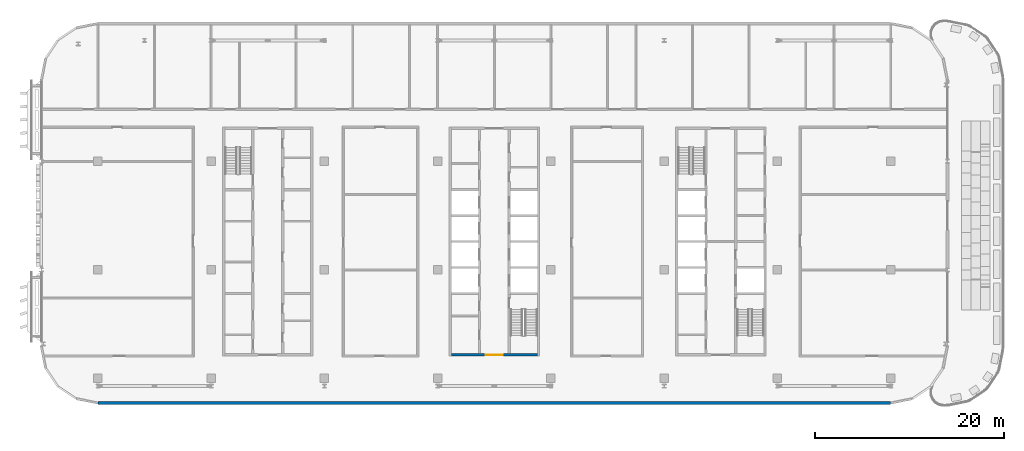
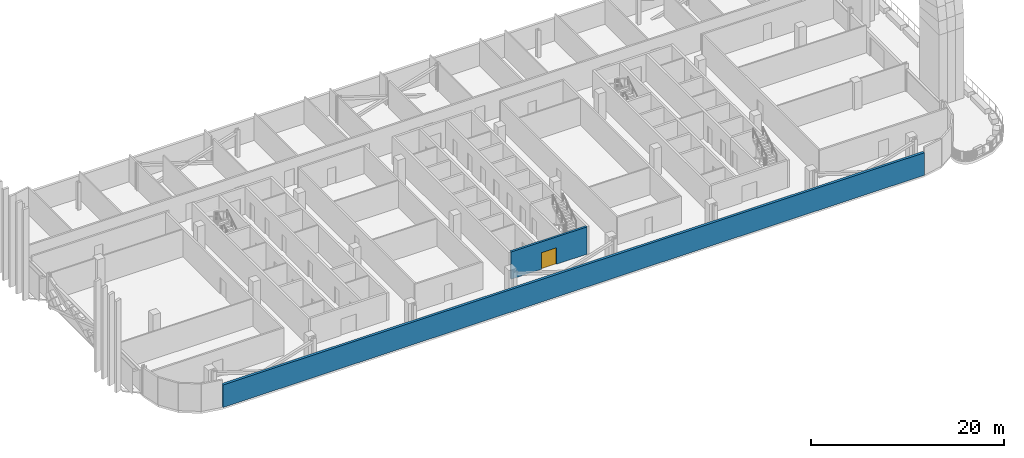
# One storey, part 13 of 30: 2 walls, 1 door, 1 opening.
"""IFC4 building model written with IfcOpenShell, lengths in metres."""

import ifcopenshell
import ifcopenshell.guid

model = None  # the IFC model being written
_history = None  # IfcOwnerHistory: only IFC2X3 demands one
_inside = {}  # id of a spatial element -> (the spatial element, [elements in it])
_under = {}  # id of a project, library or spatial element -> (it, [spatial elements below it])
_declared = {}  # id of a project -> (the project, [libraries it declares])
_typed = {}  # id of a type object -> (the type object, [elements of that type])
_made_of = {}  # id of a material, layer set ... -> (it, [elements and type objects made of it])


def new_model(schema):
    """Start an empty IFC model of exactly this schema.

    Asked for "IFC4X3", IfcOpenShell would pick the latest addendum, in which some entities
    have other attributes; the version numbers below select the first issue.
    IFC2X3 requires an IfcOwnerHistory on every rooted entity: one is made here for all.
    """
    global model, _history
    if schema == "IFC4X3":
        model = ifcopenshell.file(schema_version=(4, 3, 0, 0))
    else:
        model = ifcopenshell.file(schema=schema)
    _inside.clear()
    _under.clear()
    _declared.clear()
    _typed.clear()
    _made_of.clear()
    _history = None
    if model.schema == "IFC2X3":
        org = make("IfcOrganization", Name="unknown")
        user = make(
            "IfcPersonAndOrganization",
            ThePerson=make("IfcPerson", FamilyName="unknown"),
            TheOrganization=org,
        )
        app = make(
            "IfcApplication",
            ApplicationDeveloper=org,
            Version="unknown",
            ApplicationFullName="unknown",
            ApplicationIdentifier="unknown",
        )
        _history = make(
            "IfcOwnerHistory",
            OwningUser=user,
            OwningApplication=app,
            ChangeAction="ADDED",
            CreationDate=0,
        )
    return model


def make(cls, **values):
    """One entity of the class cls with the attributes given. An attribute that is None is left unset."""
    return model.create_entity(
        cls, **{name: value for name, value in values.items() if value is not None}
    )


def rooted(cls, **values):
    """An entity with a GlobalId (a new one), such as an element, a storey or a relation."""
    return make(cls, GlobalId=ifcopenshell.guid.new(), OwnerHistory=_history, **values)


def si_unit(unit_type, name, prefix=None):
    """IfcSIUnit, for example si_unit("LENGTHUNIT", "METRE", prefix="MILLI")."""
    return make("IfcSIUnit", UnitType=unit_type, Prefix=prefix, Name=name)


def assignment(units):
    """IfcUnitAssignment: the units of a project."""
    return None if units is None else make("IfcUnitAssignment", Units=units)


def point(xyz):
    """IfcCartesianPoint."""
    return None if xyz is None else make("IfcCartesianPoint", Coordinates=xyz)


def direction(xyz):
    """IfcDirection."""
    return None if xyz is None else make("IfcDirection", DirectionRatios=xyz)


def frame(location, z_axis=None, x_axis=None):
    """IfcAxis2Placement3D, a coordinate frame: its origin and axes. An axis left out is left unset."""
    return make(
        "IfcAxis2Placement3D",
        Location=point(location),
        Axis=direction(z_axis),
        RefDirection=direction(x_axis),
    )


def frame_2d(location, x_axis=None):
    """IfcAxis2Placement2D, a coordinate frame in the plane: its origin and x axis."""
    return make(
        "IfcAxis2Placement2D", Location=point(location), RefDirection=direction(x_axis)
    )


def origin():
    """The frame at (0, 0, 0) with its axes left unset."""
    return frame((0.0, 0.0, 0.0))


def place(relative_to, where):
    """IfcLocalPlacement: puts the frame where relative to a parent placement (None: the world)."""
    return make(
        "IfcLocalPlacement", PlacementRelTo=relative_to, RelativePlacement=where
    )


def context(
    kind, dimensions, precision=None, world=None, true_north=None, identifier=None
):
    """IfcGeometricRepresentationContext, for example the 3D "Model" context."""
    return make(
        "IfcGeometricRepresentationContext",
        ContextIdentifier=identifier,
        ContextType=kind,
        CoordinateSpaceDimension=dimensions,
        Precision=precision,
        WorldCoordinateSystem=world,
        TrueNorth=true_north,
    )


def subcontext(parent, identifier, kind, view, scale=None):
    """IfcGeometricRepresentationSubContext, for example "Body" below "Model"."""
    return make(
        "IfcGeometricRepresentationSubContext",
        ContextIdentifier=identifier,
        ContextType=kind,
        ParentContext=parent,
        TargetScale=scale,
        TargetView=view,
    )


def project(units=None, contexts=None):
    """IfcProject with its units and contexts."""
    return rooted(
        "IfcProject",
        Name="project",
        RepresentationContexts=contexts,
        UnitsInContext=assignment(units),
    )


def spatial(cls, under=None, at=None, **own):
    """A site, building, storey or space (cls), placed at a placement, below another one or the project."""
    s = rooted(cls, ObjectPlacement=at, **own)
    if under is not None:
        _under.setdefault(under.id(), (under, []))[1].append(s)
    return s


def profile(cls, at=None, kind="AREA", **sizes):
    """A parametric profile (cls). Its sizes go by their IFC names, for example OverallWidth=200.0."""
    return make(cls, ProfileType=kind, Position=at, **sizes)


def rectangle(**sizes):
    """IfcRectangleProfileDef."""
    return profile("IfcRectangleProfileDef", **sizes)


def extrude(swept, where, along, depth):
    """IfcExtrudedAreaSolid: the profile swept, set in the frame where, extruded along a direction by depth."""
    return make(
        "IfcExtrudedAreaSolid",
        SweptArea=swept,
        Position=where,
        ExtrudedDirection=direction(along),
        Depth=depth,
    )


def shape(context_of_items, identifier, shape_type, items):
    """IfcShapeRepresentation: the items that make up one representation, for example the "Body"."""
    return make(
        "IfcShapeRepresentation",
        ContextOfItems=context_of_items,
        RepresentationIdentifier=identifier,
        RepresentationType=shape_type,
        Items=items,
    )


def material(Name=None, Category=None):
    """IfcMaterial."""
    return make("IfcMaterial", Name=Name, Category=Category)


def layer(
    of_material, thickness, ventilated=None, Name=None, Category=None, Priority=None
):
    """IfcMaterialLayer: one layer of a wall or slab, of a material (None: an air gap)."""
    return make(
        "IfcMaterialLayer",
        Material=of_material,
        LayerThickness=thickness,
        IsVentilated=ventilated,
        Name=Name,
        Category=Category,
        Priority=Priority,
    )


def layer_set(layers, Name=None):
    """IfcMaterialLayerSet."""
    return make("IfcMaterialLayerSet", MaterialLayers=layers, LayerSetName=Name)


def made_of(thing, what):
    """Note that an element or type object is made of a material, layer set ...; save() writes the relation."""
    if what is not None:
        _made_of.setdefault(what.id(), (what, []))[1].append(thing)
    return thing


def type_object(cls, material=None, **own):
    """A type object (cls), such as IfcWallType, which elements share."""
    return made_of(rooted(cls, **own), material)


def element(
    cls,
    number,
    at=None,
    inside=None,
    cuts=None,
    type_object=None,
    material=None,
    context=None,
    identifier="Body",
    shape_type=None,
    held_by="IfcProductDefinitionShape",
    body=None,
    shapes=None,
    **own,
):
    """One element of the class cls, such as IfcWall. Its Tag is "e" and its number.

    at: its placement. inside: the storey or other place that contains it. cuts: it is an
    opening in that element (IfcRelVoidsElement). A single representation is given by context,
    identifier, shape_type and body (its items); several are given by shapes. held_by: the class
    of the entity that holds the representations. save() writes the other relations.
    """
    e = rooted(cls, Tag="e%d" % number, ObjectPlacement=at, **own)
    if body is not None:
        shapes = [shape(context, identifier, shape_type, body)]
    if shapes is not None:
        e.Representation = make(held_by, Representations=shapes)
    if inside is not None:
        _inside.setdefault(inside.id(), (inside, []))[1].append(e)
    if cuts is not None:
        rooted(
            "IfcRelVoidsElement", RelatingBuildingElement=cuts, RelatedOpeningElement=e
        )
    if type_object is not None:
        _typed.setdefault(type_object.id(), (type_object, []))[1].append(e)
    return made_of(e, material)


def fill(opening, filler):
    """IfcRelFillsElement: the door or window that sits in an opening."""
    return rooted(
        "IfcRelFillsElement",
        RelatingOpeningElement=opening,
        RelatedBuildingElement=filler,
    )


def aggregate(whole, parts):
    """IfcRelAggregates: a whole, such as a stair, and the parts it consists of."""
    return rooted("IfcRelAggregates", RelatingObject=whole, RelatedObjects=parts)


def save(model, path):
    """Write the relations noted so far, then the file.

    IfcRelAggregates (storeys below a building ...), IfcRelContainedInSpatialStructure (elements
    in a storey), IfcRelDefinesByType, IfcRelAssociatesMaterial and IfcRelDeclares: one each for
    every whole, place, type object, material and project.
    """
    for whole, parts in _under.values():
        aggregate(whole, parts)
    for where, things in _inside.values():
        rooted(
            "IfcRelContainedInSpatialStructure",
            RelatedElements=things,
            RelatingStructure=where,
        )
    for kind, things in _typed.values():
        rooted("IfcRelDefinesByType", RelatedObjects=things, RelatingType=kind)
    for what, things in _made_of.values():
        rooted("IfcRelAssociatesMaterial", RelatedObjects=things, RelatingMaterial=what)
    for by, libraries in _declared.values():
        rooted("IfcRelDeclares", RelatingContext=by, RelatedDefinitions=libraries)
    model.write(path)


model = new_model("IFC4")

# Units and contexts
model_context = context("Model", 3, precision=1e-05, world=origin(), true_north=direction((0.0, 1.0)))
body_context = subcontext(model_context, "Body", "Model", "MODEL_VIEW")
ifc_project = project(units=[si_unit("LENGTHUNIT", "METRE"), si_unit("AREAUNIT", "SQUARE_METRE"), si_unit("VOLUMEUNIT", "CUBIC_METRE"), si_unit("PLANEANGLEUNIT", "RADIAN"), si_unit("MASSUNIT", "GRAM", prefix="KILO")], contexts=[model_context])

# Site, building, storey
site_placement = place(None, origin())
site = spatial("IfcSite", under=ifc_project, at=site_placement, CompositionType="ELEMENT")
building_placement = place(site_placement, origin())
building = spatial("IfcBuilding", under=site, at=building_placement, Name="Mahtab Terrace Research Tower", CompositionType="ELEMENT")
storey_placement = place(building_placement, frame((0.0, 0.0, 263.300048828125)))
storey = spatial("IfcBuildingStorey", under=building, at=storey_placement, Name="L64", CompositionType="ELEMENT", Elevation=263.300048828125)

# Wall, opening, door
ifc_material_1 = material(Name="Concrete C70/85", Category="concrete")
ifc_layer_1 = layer(ifc_material_1, 0.25)
ifc_layer_set_1 = layer_set([ifc_layer_1], Name="Core wall 250")
wall_type_1 = type_object("IfcWallType", Name="Core wall 250", PredefinedType="SOLIDWALL", material=ifc_layer_set_1)
wall_1_placement = place(storey_placement, frame((4.550048828125, -9.0, 0.0), z_axis=(0.0, 0.0, 1.0), x_axis=(-1.0, 0.0, 0.0)))
wall_1 = element("IfcWall", 1, at=wall_1_placement, inside=storey, type_object=wall_type_1, Name="Core wall B endS", PredefinedType="SOLIDWALL", context=body_context, shape_type="SweptSolid", body=[
    extrude(rectangle(XDim=9.10009765625, YDim=0.25, at=frame_2d((4.550048828125, 0.0))), origin(), (0.0, 0.0, 1.0), 3.4599609375),
])
opening_placement = place(wall_1_placement, frame((3.64990234375, 0.0, 0.0)))
opening = element("IfcOpeningElement", 2, at=opening_placement, cuts=wall_1, Name="Opening B-S1", PredefinedType="OPENING", context=body_context, shape_type="SweptSolid", body=[
    extrude(rectangle(XDim=1.800048828125, YDim=2.10009765625, at=frame_2d((0.89990234375, 1.050048828125))), frame((0.0, 0.135009765625, 0.0), z_axis=(0.0, -1.0, 0.0), x_axis=(1.0, 0.0, 0.0)), (0.0, 0.0, 1.0), 0.27001953125),
])
ifc_material_2 = material(Name="Steel fire door", Category="steel")
door_type = type_object("IfcDoorType", Name="Lobby double door 1800x2100 1 HR", OperationType="DOUBLE_DOOR_SINGLE_SWING", PredefinedType="DOOR", material=ifc_material_2)
door_placement = place(opening_placement, origin())
door = element("IfcDoor", 3, at=door_placement, inside=storey, type_object=door_type, Name="Core entrance door B S", OperationType="DOUBLE_DOOR_SINGLE_SWING", OverallHeight=2.10009765625, OverallWidth=1.800048828125, PredefinedType="DOOR", context=body_context, shape_type="SweptSolid", body=[
    extrude(rectangle(XDim=1.800048828125, YDim=2.10009765625, at=frame_2d((0.89990234375, 1.050048828125))), frame((0.0, 0.02490234375, 0.0), z_axis=(0.0, -1.0, 0.0), x_axis=(1.0, 0.0, 0.0)), (0.0, 0.0, 1.0), 0.050048828125),
])
fill(opening, door)

# Wall
ifc_material_3 = material(Name="Black aluminium cladding panel", Category="aluminium")
ifc_layer_2 = layer(ifc_material_3, 0.300048828125)
ifc_layer_set_2 = layer_set([ifc_layer_2], Name="Opaque facade wall 300")
wall_type_2 = type_object("IfcWallType", Name="Opaque facade wall 300", PredefinedType="NOTDEFINED", material=ifc_layer_set_2)
wall_2_placement = place(storey_placement, frame((-42.0, -14.112060546875, 0.0), z_axis=(0.0, 0.0, 1.0), x_axis=(1.0, 0.0, 0.0)))
element("IfcWall", 4, at=wall_2_placement, inside=storey, type_object=wall_type_2, Name="Opaque facade wall L64 S16", PredefinedType="NOTDEFINED", context=body_context, shape_type="SweptSolid", body=[
    extrude(rectangle(XDim=84.0, YDim=0.300048828125, at=frame_2d((42.0, 0.0))), origin(), (0.0, 0.0, 1.0), 2.852783203125),
])

save(model, "model.ifc")
